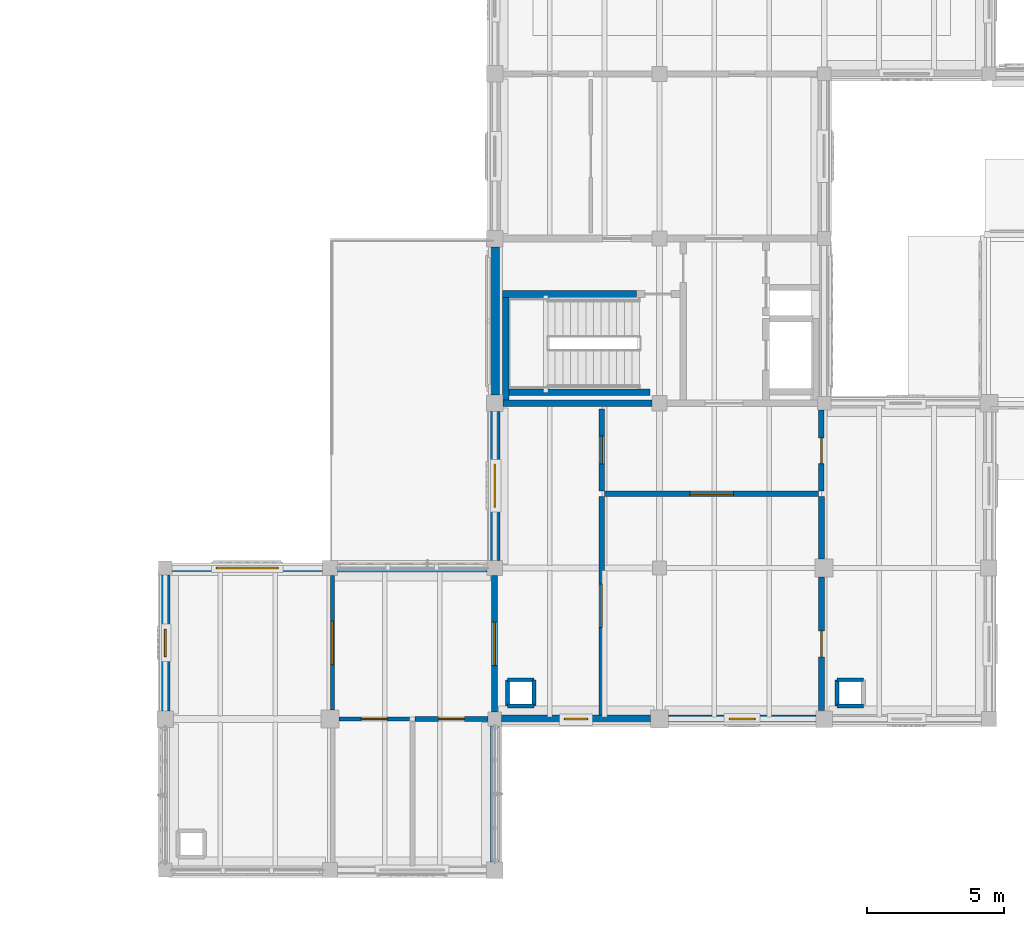
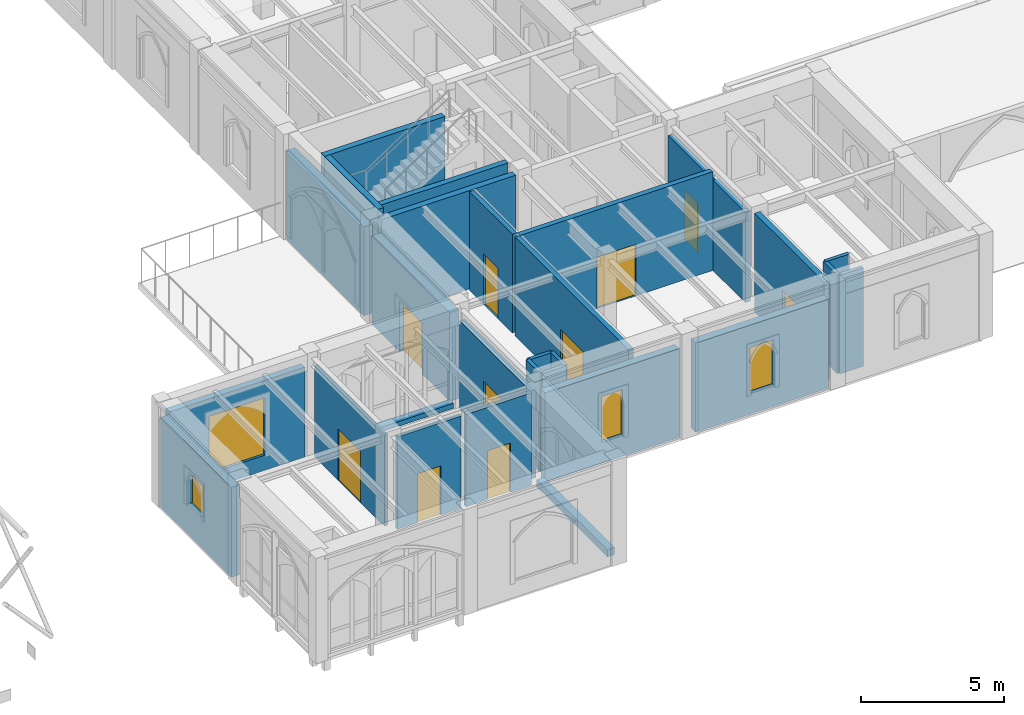
# One storey, part 80 of 127: 29 walls, 10 doors, 4 windows, 14 openings.
"""IFC4 building model written with IfcOpenShell, lengths in metres."""

from ifc_helpers import new_model, si_unit, direction, frame, frame_2d, origin, place, context, subcontext, project, spatial, rectangle, extrude, material, layer, layer_set, type_object, element, fill, save


model = new_model("IFC4")

# Units and contexts
model_context = context("Model", 3, precision=1e-05, world=origin(), true_north=direction((0.0, 1.0)))
body_context = subcontext(model_context, "Body", "Model", "MODEL_VIEW")
ifc_project = project(units=[si_unit("LENGTHUNIT", "METRE"), si_unit("AREAUNIT", "SQUARE_METRE"), si_unit("VOLUMEUNIT", "CUBIC_METRE"), si_unit("PLANEANGLEUNIT", "RADIAN"), si_unit("MASSUNIT", "GRAM", prefix="KILO")], contexts=[model_context])

# Site, building, storey
site_placement = place(None, origin())
site = spatial("IfcSite", under=ifc_project, at=site_placement, CompositionType="ELEMENT")
building_placement = place(site_placement, origin())
building = spatial("IfcBuilding", under=site, at=building_placement, Name="Cumevento Cable Car Station", CompositionType="ELEMENT")
storey_placement = place(building_placement, frame((0.0, 0.0, 4.5)))
storey = spatial("IfcBuildingStorey", under=building, at=storey_placement, Name="L02", CompositionType="ELEMENT", Elevation=4.5)

# Wall, opening, window
ifc_material_1 = material(Name="Gnaisse Facoidal Stone Ashlar 85 MPa", Category="masonry")
ifc_layer_1 = layer(ifc_material_1, 0.264892578125)
ifc_layer_set_1 = layer_set([ifc_layer_1], Name="Gnaisse Facoidal Stone Ashlar 85 MPa")
wall_type_1 = type_object("IfcWallType", Name="Exterior Envelope Wall EW-265 265", PredefinedType="SOLIDWALL", material=ifc_layer_set_1)
wall_1_placement = place(storey_placement, frame((106.25, 15.0, 0.0), z_axis=(0.0, 0.0, 1.0), x_axis=(1.0, 0.0, 0.0)))
wall_1 = element("IfcWall", 1, at=wall_1_placement, inside=storey, type_object=wall_type_1, Name="Exterior Wall EW-265 L02 #104", PredefinedType="SOLIDWALL", context=body_context, shape_type="SweptSolid", body=[
    extrude(rectangle(XDim=5.47509765625, YDim=0.264892578125, at=frame_2d((2.737548828125, 0.0))), origin(), (0.0, 0.0, 1.0), 3.843017578125),
])
opening_1_placement = place(wall_1_placement, frame((1.612548828125, 0.0, 0.64990234375)))
opening_1 = element("IfcOpeningElement", 2, at=opening_1_placement, cuts=wall_1, Name="Opening WN-L02-039", PredefinedType="OPENING", context=body_context, shape_type="SweptSolid", body=[
    extrude(rectangle(XDim=2.25, YDim=2.449951171875, at=frame_2d((1.125, 1.22509765625))), frame((0.0, 0.142333984375, 0.0), z_axis=(0.0, -1.0, 0.0), x_axis=(1.0, 0.0, 0.0)), (0.0, 0.0, 1.0), 0.284912109375),
])
ifc_material_2 = material(Name="Anodised Bronze Aluminium & Laminated Solar Glass", Category="aluminium")
window_type_1 = type_object("IfcWindowType", Name="Lancet Window WN-15 2250x2450", PartitioningType="DOUBLE_PANEL_VERTICAL", PredefinedType="WINDOW", material=ifc_material_2)
window_1_placement = place(opening_1_placement, origin())
window_1 = element("IfcWindow", 3, at=window_1_placement, inside=storey, type_object=window_type_1, Name="Lancet Window WN-L02-039 (WN-15)", OverallHeight=2.449951171875, OverallWidth=2.25, PartitioningType="SINGLE_PANEL", PredefinedType="WINDOW", context=body_context, shape_type="SweptSolid", body=[
    extrude(rectangle(XDim=2.25, YDim=2.449951171875, at=frame_2d((1.125, 1.22509765625))), frame((0.0, 0.030029296875, 0.0), z_axis=(0.0, -1.0, 0.0), x_axis=(1.0, 0.0, 0.0)), (0.0, 0.0, 1.0), 0.06005859375),
])
fill(opening_1, window_1)

# Walls
ifc_material_3 = material(Name="Gnaisse Facoidal Stone Ashlar 85 MPa", Category="masonry")
ifc_layer_2 = layer(ifc_material_3, 0.294921875)
ifc_layer_set_2 = layer_set([ifc_layer_2], Name="Gnaisse Facoidal Stone Ashlar 85 MPa")
wall_type_2 = type_object("IfcWallType", Name="Exterior Envelope Wall EW-295 295", PredefinedType="SOLIDWALL", material=ifc_layer_set_2)
wall_2_placement = place(storey_placement, frame((112.27490234375, 15.0, 0.0), z_axis=(0.0, 0.0, 1.0), x_axis=(1.0, 0.0, 0.0)))
element("IfcWall", 4, at=wall_2_placement, inside=storey, type_object=wall_type_2, Name="Exterior Sill Curb Wall EW-295 L02 #106", PredefinedType="SOLIDWALL", context=body_context, shape_type="SweptSolid", body=[
    extrude(rectangle(XDim=5.4501953125, YDim=0.294921875, at=frame_2d((2.72509765625, 0.0))), origin(), (0.0, 0.0, 1.0), 0.2099609375),
])
wall_3_placement = place(storey_placement, frame((118.0, 9.25, 0.0), z_axis=(0.0, 0.0, 1.0), x_axis=(0.0, -1.0, 0.0)))
element("IfcWall", 5, at=wall_3_placement, inside=storey, type_object=wall_type_2, Name="Exterior Sill Curb Wall EW-295 L02 #108", PredefinedType="SOLIDWALL", context=body_context, shape_type="SweptSolid", body=[
    extrude(rectangle(XDim=4.949951171875, YDim=0.294921875, at=frame_2d((2.47509765625, 0.0))), origin(), (0.0, 0.0, 1.0), 0.31005859375),
])

# Wall, opening, window
wall_4_placement = place(storey_placement, frame((123.675048828125, 9.5, 0.0), z_axis=(0.0, 0.0, 1.0), x_axis=(-1.0, 0.0, 0.0)))
wall_4 = element("IfcWall", 6, at=wall_4_placement, inside=storey, type_object=wall_type_2, Name="Exterior Wall EW-295 L02 #158", PredefinedType="SOLIDWALL", context=body_context, shape_type="SweptSolid", body=[
    extrude(rectangle(XDim=5.425048828125, YDim=0.294921875, at=frame_2d((2.71240234375, 0.0))), origin(), (0.0, 0.0, 1.0), 3.80908203125),
])
opening_2_placement = place(wall_4_placement, frame((2.28759765625, 0.0, 0.89990234375)))
opening_2 = element("IfcOpeningElement", 7, at=opening_2_placement, cuts=wall_4, Name="Opening WN-L02-049", PredefinedType="OPENING", context=body_context, shape_type="SweptSolid", body=[
    extrude(rectangle(XDim=0.85009765625, YDim=1.949951171875, at=frame_2d((0.425048828125, 0.97509765625))), frame((0.0, 0.157470703125, 0.0), z_axis=(0.0, -1.0, 0.0), x_axis=(1.0, 0.0, 0.0)), (0.0, 0.0, 1.0), 0.31494140625),
])
ifc_material_4 = material(Name="Anodised Bronze Aluminium & Laminated Solar Glass", Category="aluminium")
window_type_2 = type_object("IfcWindowType", Name="Lancet Window WN-01 850x1950", PartitioningType="SINGLE_PANEL", PredefinedType="WINDOW", material=ifc_material_4)
window_2_placement = place(opening_2_placement, origin())
window_2 = element("IfcWindow", 8, at=window_2_placement, inside=storey, type_object=window_type_2, Name="Lancet Window WN-L02-049 (WN-01)", OverallHeight=1.949951171875, OverallWidth=0.85009765625, PartitioningType="SINGLE_PANEL", PredefinedType="WINDOW", context=body_context, shape_type="SweptSolid", body=[
    extrude(rectangle(XDim=0.85009765625, YDim=1.949951171875, at=frame_2d((0.425048828125, 0.97509765625))), frame((0.0, 0.030029296875, 0.0), z_axis=(0.0, -1.0, 0.0), x_axis=(1.0, 0.0, 0.0)), (0.0, 0.0, 1.0), 0.06005859375),
])
fill(opening_2, window_2)

ifc_material_5 = material(Name="Gnaisse Facoidal Stone Ashlar 85 MPa", Category="masonry")
ifc_layer_3 = layer(ifc_material_5, 0.31005859375)
ifc_layer_set_3 = layer_set([ifc_layer_3], Name="Gnaisse Facoidal Stone Ashlar 85 MPa")
wall_type_3 = type_object("IfcWallType", Name="Exterior Envelope Wall EW-310 310", PredefinedType="SOLIDWALL", material=ifc_layer_set_3)
wall_5_placement = place(storey_placement, frame((129.699951171875, 9.5, 0.0), z_axis=(0.0, 0.0, 1.0), x_axis=(-1.0, 0.0, 0.0)))
wall_5 = element("IfcWall", 9, at=wall_5_placement, inside=storey, type_object=wall_type_3, Name="Exterior Wall EW-310 L02 #159", PredefinedType="SOLIDWALL", context=body_context, shape_type="SweptSolid", body=[
    extrude(rectangle(XDim=5.375, YDim=0.31005859375, at=frame_2d((2.6875, 0.0))), origin(), (0.0, 0.0, 1.0), 3.80908203125),
])
opening_3_placement = place(wall_5_placement, frame((2.21240234375, 0.0, 0.89990234375)))
opening_3 = element("IfcOpeningElement", 10, at=opening_3_placement, cuts=wall_5, Name="Opening WN-L02-050", PredefinedType="OPENING", context=body_context, shape_type="SweptSolid", body=[
    extrude(rectangle(XDim=0.949951171875, YDim=1.949951171875, at=frame_2d((0.47509765625, 0.97509765625))), frame((0.0, 0.1650390625, 0.0), z_axis=(0.0, -1.0, 0.0), x_axis=(1.0, 0.0, 0.0)), (0.0, 0.0, 1.0), 0.330078125),
])
ifc_material_6 = material(Name="Anodised Bronze Aluminium & Laminated Solar Glass", Category="aluminium")
window_type_3 = type_object("IfcWindowType", Name="Lancet Window WN-02 950x1950", PartitioningType="SINGLE_PANEL", PredefinedType="WINDOW", material=ifc_material_6)
window_3_placement = place(opening_3_placement, origin())
window_3 = element("IfcWindow", 11, at=window_3_placement, inside=storey, type_object=window_type_3, Name="Lancet Window WN-L02-050 (WN-02)", OverallHeight=1.949951171875, OverallWidth=0.949951171875, PartitioningType="SINGLE_PANEL", PredefinedType="WINDOW", context=body_context, shape_type="SweptSolid", body=[
    extrude(rectangle(XDim=0.949951171875, YDim=1.949951171875, at=frame_2d((0.47509765625, 0.97509765625))), frame((0.0, 0.030029296875, 0.0), z_axis=(0.0, -1.0, 0.0), x_axis=(1.0, 0.0, 0.0)), (0.0, 0.0, 1.0), 0.06005859375),
])
fill(opening_3, window_3)

ifc_material_7 = material(Name="Concrete C40/50", Category="concrete")
ifc_layer_4 = layer(ifc_material_7, 0.340087890625)
ifc_layer_set_4 = layer_set([ifc_layer_4], Name="Concrete C40/50")
wall_type_4 = type_object("IfcWallType", Name="Exterior Envelope Wall EW-340 340", PredefinedType="SOLIDWALL", material=ifc_layer_set_4)
wall_6_placement = place(storey_placement, frame((106.0, 9.800048828125, 0.0), z_axis=(0.0, 0.0, 1.0), x_axis=(0.0, 1.0, 0.0)))
wall_6 = element("IfcWall", 12, at=wall_6_placement, inside=storey, type_object=wall_type_4, Name="Exterior Wall EW-340 L02 #109", PredefinedType="SOLIDWALL", context=body_context, shape_type="SweptSolid", body=[
    extrude(rectangle(XDim=4.949951171875, YDim=0.340087890625, at=frame_2d((2.47509765625, 0.0))), origin(), (0.0, 0.0, 1.0), 3.843017578125),
])
opening_4_placement = place(wall_6_placement, frame((1.97509765625, 0.0, 1.35009765625)))
opening_4 = element("IfcOpeningElement", 13, at=opening_4_placement, cuts=wall_6, Name="Opening WN-L02-041", PredefinedType="OPENING", context=body_context, shape_type="SweptSolid", body=[
    extrude(rectangle(XDim=1.0, YDim=1.35009765625, at=frame_2d((0.5, 0.675048828125))), frame((0.0, 0.179931640625, 0.0), z_axis=(0.0, -1.0, 0.0), x_axis=(1.0, 0.0, 0.0)), (0.0, 0.0, 1.0), 0.360107421875),
])
ifc_material_8 = material(Name="Anodised Bronze Aluminium & Laminated Solar Glass", Category="aluminium")
window_type_4 = type_object("IfcWindowType", Name="Lancet Window WN-17 1000x1350", PartitioningType="SINGLE_PANEL", PredefinedType="WINDOW", material=ifc_material_8)
window_4_placement = place(opening_4_placement, origin())
window_4 = element("IfcWindow", 14, at=window_4_placement, inside=storey, type_object=window_type_4, Name="Lancet Window WN-L02-041 (WN-17)", OverallHeight=1.35009765625, OverallWidth=1.0, PartitioningType="SINGLE_PANEL", PredefinedType="WINDOW", context=body_context, shape_type="SweptSolid", body=[
    extrude(rectangle(XDim=1.0, YDim=1.35009765625, at=frame_2d((0.5, 0.675048828125))), frame((0.0, 0.030029296875, 0.0), z_axis=(0.0, -1.0, 0.0), x_axis=(1.0, 0.0, 0.0)), (0.0, 0.0, 1.0), 0.06005859375),
])
fill(opening_4, window_4)

# Wall
ifc_material_9 = material(Name="Concrete C40/50", Category="concrete")
ifc_layer_5 = layer(ifc_material_9, 0.35498046875)
ifc_layer_set_5 = layer_set([ifc_layer_5], Name="Concrete C40/50")
wall_type_5 = type_object("IfcWallType", Name="Exterior Envelope Wall EW-355 355", PredefinedType="SOLIDWALL", material=ifc_layer_set_5)
wall_7_placement = place(storey_placement, frame((118.0, 21.300048828125, 0.0), z_axis=(0.0, 0.0, 1.0), x_axis=(0.0, 1.0, 0.0)))
element("IfcWall", 15, at=wall_7_placement, inside=storey, type_object=wall_type_5, Name="Exterior Wall EW-355 L02 #165", PredefinedType="SOLIDWALL", context=body_context, shape_type="SweptSolid", body=[
    extrude(rectangle(XDim=5.39990234375, YDim=0.35498046875, at=frame_2d((2.699951171875, 0.0))), origin(), (0.0, 0.0, 1.0), 3.797119140625),
])

# Wall, opening, door
ifc_material_10 = material(Name="Concrete C40/50", Category="concrete")
ifc_layer_6 = layer(ifc_material_10, 0.3701171875)
ifc_layer_set_6 = layer_set([ifc_layer_6], Name="Concrete C40/50")
wall_type_6 = type_object("IfcWallType", Name="Exterior Envelope Wall EW-370 370", PredefinedType="SOLIDWALL", material=ifc_layer_set_6)
wall_8_placement = place(storey_placement, frame((118.0, 15.27490234375, 0.0), z_axis=(0.0, 0.0, 1.0), x_axis=(0.0, 1.0, 0.0)))
wall_8 = element("IfcWall", 16, at=wall_8_placement, inside=storey, type_object=wall_type_6, Name="Exterior Wall EW-370 L02 #163", PredefinedType="SOLIDWALL", context=body_context, shape_type="SweptSolid", body=[
    extrude(rectangle(XDim=5.425048828125, YDim=0.3701171875, at=frame_2d((2.71240234375, 0.0))), origin(), (0.0, 0.0, 1.0), 3.797119140625),
])
opening_5_placement = place(wall_8_placement, frame((1.945068359375, 0.0, 0.0)))
opening_5 = element("IfcOpeningElement", 17, at=opening_5_placement, cuts=wall_8, Name="Opening DR-L02-T07", PredefinedType="OPENING", context=body_context, shape_type="SweptSolid", body=[
    extrude(rectangle(XDim=1.56005859375, YDim=2.179931640625, at=frame_2d((0.780029296875, 1.08984375))), frame((0.0, 0.195068359375, 0.0), z_axis=(0.0, -1.0, 0.0), x_axis=(1.0, 0.0, 0.0)), (0.0, 0.0, 1.0), 0.39013671875),
])
ifc_material_11 = material(Name="Anodised Bronze Aluminium & Laminated Glass", Category="aluminium")
door_type_1 = type_object("IfcDoorType", Name="Exterior Door ED-04 1560x2180", OperationType="NOTDEFINED", PredefinedType="DOOR", material=ifc_material_11)
door_1_placement = place(opening_5_placement, origin())
door_1 = element("IfcDoor", 18, at=door_1_placement, inside=storey, type_object=door_type_1, Name="Drive Vault East Court Door", OperationType="DOUBLE_DOOR_SINGLE_SWING", OverallHeight=2.179931640625, OverallWidth=1.56005859375, PredefinedType="DOOR", context=body_context, shape_type="SweptSolid", body=[
    extrude(rectangle(XDim=1.56005859375, YDim=2.179931640625, at=frame_2d((0.780029296875, 1.08984375))), frame((0.0, 0.02490234375, 0.0), z_axis=(0.0, -1.0, 0.0), x_axis=(1.0, 0.0, 0.0)), (0.0, 0.0, 1.0), 0.050048828125),
])
fill(opening_5, door_1)

ifc_material_12 = material(Name="Concrete C40/50", Category="concrete")
ifc_layer_7 = layer(ifc_material_12, 0.199951171875)
ifc_layer_set_7 = layer_set([ifc_layer_7], Name="Concrete C40/50")
wall_type_7 = type_object("IfcWallType", Name="Interior Partition FW-200 200", PredefinedType="SOLIDWALL", material=ifc_layer_set_7)
wall_9_placement = place(storey_placement, frame((129.89990234375, 17.800048828125, 0.0), z_axis=(0.0, 0.0, 1.0), x_axis=(0.0, 1.0, 0.0)))
wall_9 = element("IfcWall", 19, at=wall_9_placement, inside=storey, type_object=wall_type_7, Name="Interior Wall FW-200 L02 #620", PredefinedType="SOLIDWALL", context=body_context, shape_type="SweptSolid", body=[
    extrude(rectangle(XDim=2.947998046875, YDim=0.199951171875, at=frame_2d((1.47412109375, 0.0))), origin(), (0.0, 0.0, 1.0), 3.85009765625),
])
opening_6_placement = place(wall_9_placement, frame((1.00390625, 0.0, 0.0)))
opening_6 = element("IfcOpeningElement", 20, at=opening_6_placement, cuts=wall_9, Name="Opening DR-L02-225", PredefinedType="OPENING", context=body_context, shape_type="SweptSolid", body=[
    extrude(rectangle(XDim=0.93994140625, YDim=2.10009765625, at=frame_2d((0.469970703125, 1.050048828125))), frame((0.0, 0.110107421875, 0.0), z_axis=(0.0, -1.0, 0.0), x_axis=(1.0, 0.0, 0.0)), (0.0, 0.0, 1.0), 0.219970703125),
])
ifc_material_13 = material(Name="Galvanised Painted Steel Fire Door", Category="steel")
door_type_2 = type_object("IfcDoorType", Name="Interior Door FD-08 940x2100", OperationType="NOTDEFINED", PredefinedType="DOOR", material=ifc_material_13)
door_2_placement = place(opening_6_placement, origin())
door_2 = element("IfcDoor", 21, at=door_2_placement, inside=storey, type_object=door_type_2, Name="Interior Door DR-L02-225 (FD-08)", OperationType="SINGLE_SWING_RIGHT", OverallHeight=2.10009765625, OverallWidth=0.93994140625, PredefinedType="DOOR", context=body_context, shape_type="SweptSolid", body=[
    extrude(rectangle(XDim=0.93994140625, YDim=2.10009765625, at=frame_2d((0.469970703125, 1.050048828125))), frame((0.0, 0.02490234375, 0.0), z_axis=(0.0, -1.0, 0.0), x_axis=(1.0, 0.0, 0.0)), (0.0, 0.0, 1.0), 0.050048828125),
])
fill(opening_6, door_2)

ifc_material_14 = material(Name="Concrete C40/50", Category="concrete")
ifc_layer_8 = layer(ifc_material_14, 0.219970703125)
ifc_layer_set_8 = layer_set([ifc_layer_8], Name="Concrete C40/50")
wall_type_8 = type_object("IfcWallType", Name="Interior Partition FW-220 220", PredefinedType="SOLIDWALL", material=ifc_layer_set_8)
wall_10_placement = place(storey_placement, frame((118.0, 9.751953125, 0.0), z_axis=(0.0, 0.0, 1.0), x_axis=(0.0, 1.0, 0.0)))
wall_10 = element("IfcWall", 22, at=wall_10_placement, inside=storey, type_object=wall_type_8, Name="Interior Wall FW-220 L02 #603", PredefinedType="SOLIDWALL", context=body_context, shape_type="SweptSolid", body=[
    extrude(rectangle(XDim=4.970947265625, YDim=0.219970703125, at=frame_2d((2.4853515625, 0.0))), origin(), (0.0, 0.0, 1.0), 3.759033203125),
])
opening_7_placement = place(wall_10_placement, frame((1.695556640625, 0.0, 0.0)))
opening_7 = element("IfcOpeningElement", 23, at=opening_7_placement, cuts=wall_10, Name="Opening DR-L02-214", PredefinedType="OPENING", context=body_context, shape_type="SweptSolid", body=[
    extrude(rectangle(XDim=1.580078125, YDim=2.199951171875, at=frame_2d((0.7900390625, 1.10009765625))), frame((0.0, 0.119873046875, 0.0), z_axis=(0.0, -1.0, 0.0), x_axis=(1.0, 0.0, 0.0)), (0.0, 0.0, 1.0), 0.239990234375),
])
ifc_material_15 = material(Name="Galvanised Painted Steel Fire Door", Category="steel")
door_type_3 = type_object("IfcDoorType", Name="Interior Door FD-06 1580x2200", OperationType="NOTDEFINED", PredefinedType="DOOR", material=ifc_material_15)
door_3_placement = place(opening_7_placement, origin())
door_3 = element("IfcDoor", 24, at=door_3_placement, inside=storey, type_object=door_type_3, Name="Interior Door DR-L02-214 (FD-06)", OperationType="DOUBLE_DOOR_SINGLE_SWING", OverallHeight=2.199951171875, OverallWidth=1.580078125, PredefinedType="DOOR", context=body_context, shape_type="SweptSolid", body=[
    extrude(rectangle(XDim=1.580078125, YDim=2.199951171875, at=frame_2d((0.7900390625, 1.10009765625))), frame((0.0, 0.02490234375, 0.0), z_axis=(0.0, -1.0, 0.0), x_axis=(1.0, 0.0, 0.0)), (0.0, 0.0, 1.0), 0.050048828125),
])
fill(opening_7, door_3)

wall_11_placement = place(storey_placement, frame((129.89990234375, 9.802001953125, 0.0), z_axis=(0.0, 0.0, 1.0), x_axis=(0.0, 1.0, 0.0)))
wall_11 = element("IfcWall", 25, at=wall_11_placement, inside=storey, type_object=wall_type_8, Name="Interior Wall FW-220 L02 #621", PredefinedType="SOLIDWALL", context=body_context, shape_type="SweptSolid", body=[
    extrude(rectangle(XDim=4.87109375, YDim=0.219970703125, at=frame_2d((2.435546875, 0.0))), origin(), (0.0, 0.0, 1.0), 4.216064453125),
])
opening_8_placement = place(wall_11_placement, frame((1.965576171875, 0.0, 0.0)))
opening_8 = element("IfcOpeningElement", 26, at=opening_8_placement, cuts=wall_11, Name="Opening DR-L02-226", PredefinedType="OPENING", context=body_context, shape_type="SweptSolid", body=[
    extrude(rectangle(XDim=0.93994140625, YDim=2.10009765625, at=frame_2d((0.469970703125, 1.050048828125))), frame((0.0, 0.119873046875, 0.0), z_axis=(0.0, -1.0, 0.0), x_axis=(1.0, 0.0, 0.0)), (0.0, 0.0, 1.0), 0.239990234375),
])
door_4_placement = place(opening_8_placement, origin())
door_4 = element("IfcDoor", 27, at=door_4_placement, inside=storey, type_object=door_type_2, Name="Interior Door DR-L02-226 (FD-08)", OperationType="SINGLE_SWING_LEFT", OverallHeight=2.10009765625, OverallWidth=0.93994140625, PredefinedType="DOOR", context=body_context, shape_type="SweptSolid", body=[
    extrude(rectangle(XDim=0.93994140625, YDim=2.10009765625, at=frame_2d((0.469970703125, 1.050048828125))), frame((0.0, 0.02490234375, 0.0), z_axis=(0.0, -1.0, 0.0), x_axis=(1.0, 0.0, 0.0)), (0.0, 0.0, 1.0), 0.050048828125),
])
fill(opening_8, door_4)

# Walls
wall_12_placement = place(storey_placement, frame((129.89990234375, 15.326904296875, 0.0), z_axis=(0.0, 0.0, 1.0), x_axis=(0.0, 1.0, 0.0)))
element("IfcWall", 28, at=wall_12_placement, inside=storey, type_object=wall_type_8, Name="Interior Wall FW-220 L02 #622", PredefinedType="SOLIDWALL", context=body_context, shape_type="SweptSolid", body=[
    extrude(rectangle(XDim=2.273193359375, YDim=0.219970703125, at=frame_2d((1.13671875, 0.0))), origin(), (0.0, 0.0, 1.0), 3.85009765625),
])
ifc_material_16 = material(Name="Gypsum Board & Insulated Stud Partition", Category="gypsum")
ifc_layer_9 = layer(ifc_material_16, 0.14501953125)
ifc_layer_set_9 = layer_set([ifc_layer_9], Name="Gypsum Board & Insulated Stud Partition")
wall_type_9 = type_object("IfcWallType", Name="Interior Partition PT-145 145", PredefinedType="PARTITIONING", material=ifc_layer_set_9)
for number, where, z_axis, x_axis, name in (
    (29, (118.469970703125, 9.969970703125, 0.0), (0.0, 0.0, 1.0), (1.0, 0.0, 0.0), "Interior Wall PT-145 L02 #81"),
    (30, (119.429931640625, 9.969970703125, 0.0), (0.0, 0.0, 1.0), (0.0, 1.0, 0.0), "Interior Wall PT-145 L02 #82"),
    (31, (119.429931640625, 10.929931640625, 0.0), (0.0, 0.0, 1.0), (-1.0, 0.0, 0.0), "Interior Wall PT-145 L02 #83"),
    (32, (118.469970703125, 10.929931640625, 0.0), (0.0, 0.0, 1.0), (0.0, -1.0, 0.0), "Interior Wall PT-145 L02 #84"),
    (33, (130.469970703125, 9.969970703125, 0.0), (0.0, 0.0, 1.0), (1.0, 0.0, 0.0), "Interior Wall PT-145 L02 #85"),
    (34, (131.429931640625, 10.929931640625, 0.0), (0.0, 0.0, 1.0), (-1.0, 0.0, 0.0), "Interior Wall PT-145 L02 #87"),
    (35, (130.469970703125, 10.929931640625, 0.0), (0.0, 0.0, 1.0), (0.0, -1.0, 0.0), "Interior Wall PT-145 L02 #88"),
):
    element("IfcWall", number, at=place(storey_placement, frame(where, z_axis=z_axis, x_axis=x_axis)), inside=storey, type_object=wall_type_9, Name=name, PredefinedType="PARTITIONING", context=body_context, shape_type="SweptSolid", body=[
        extrude(rectangle(XDim=0.9599609375, YDim=0.14501953125, at=frame_2d((0.47998046875, 0.0))), origin(), (0.0, 0.0, 1.0), 4.216064453125),
    ])

# Wall, opening, door
wall_13_placement = place(storey_placement, frame((112.10009765625, 9.826904296875, 0.0), z_axis=(0.0, 0.0, 1.0), x_axis=(0.0, 1.0, 0.0)))
wall_13 = element("IfcWall", 36, at=wall_13_placement, inside=storey, type_object=wall_type_9, Name="Interior Wall PT-145 L02 #600", PredefinedType="PARTITIONING", context=body_context, shape_type="SweptSolid", body=[
    extrude(rectangle(XDim=4.89599609375, YDim=0.14501953125, at=frame_2d((2.447998046875, 0.0))), origin(), (0.0, 0.0, 1.0), 3.89599609375),
])
opening_9_placement = place(wall_13_placement, frame((1.657958984375, 0.0, 0.0)))
opening_9 = element("IfcOpeningElement", 37, at=opening_9_placement, cuts=wall_13, Name="Opening DR-L02-211", PredefinedType="OPENING", context=body_context, shape_type="SweptSolid", body=[
    extrude(rectangle(XDim=1.580078125, YDim=2.199951171875, at=frame_2d((0.7900390625, 1.10009765625))), frame((0.0, 0.08251953125, 0.0), z_axis=(0.0, -1.0, 0.0), x_axis=(1.0, 0.0, 0.0)), (0.0, 0.0, 1.0), 0.1650390625),
])
door_5_placement = place(opening_9_placement, origin())
door_5 = element("IfcDoor", 38, at=door_5_placement, inside=storey, type_object=door_type_3, Name="Interior Door DR-L02-211 (FD-06)", OperationType="DOUBLE_DOOR_SINGLE_SWING", OverallHeight=2.199951171875, OverallWidth=1.580078125, PredefinedType="DOOR", context=body_context, shape_type="SweptSolid", body=[
    extrude(rectangle(XDim=1.580078125, YDim=2.199951171875, at=frame_2d((0.7900390625, 1.10009765625))), frame((0.0, 0.02490234375, 0.0), z_axis=(0.0, -1.0, 0.0), x_axis=(1.0, 0.0, 0.0)), (0.0, 0.0, 1.0), 0.050048828125),
])
fill(opening_9, door_5)

ifc_material_17 = material(Name="Gypsum Board & Insulated Stud Partition", Category="gypsum")
ifc_layer_10 = layer(ifc_material_17, 0.155029296875)
ifc_layer_set_10 = layer_set([ifc_layer_10], Name="Gypsum Board & Insulated Stud Partition")
wall_type_10 = type_object("IfcWallType", Name="Interior Partition PT-155 155", PredefinedType="PARTITIONING", material=ifc_layer_set_10)
wall_14_placement = place(storey_placement, frame((112.326904296875, 9.5, 0.0), z_axis=(0.0, 0.0, 1.0), x_axis=(1.0, 0.0, 0.0)))
wall_14 = element("IfcWall", 39, at=wall_14_placement, inside=storey, type_object=wall_type_10, Name="Interior Wall PT-155 L02 #601", PredefinedType="PARTITIONING", context=body_context, shape_type="SweptSolid", body=[
    extrude(rectangle(XDim=2.572998046875, YDim=0.155029296875, at=frame_2d((1.28662109375, 0.0))), origin(), (0.0, 0.0, 1.0), 3.949951171875),
])
opening_10_placement = place(wall_14_placement, frame((0.81640625, 0.0, 0.0)))
opening_10 = element("IfcOpeningElement", 40, at=opening_10_placement, cuts=wall_14, Name="Opening DR-L02-212", PredefinedType="OPENING", context=body_context, shape_type="SweptSolid", body=[
    extrude(rectangle(XDim=0.93994140625, YDim=2.10009765625, at=frame_2d((0.469970703125, 1.050048828125))), frame((0.0, 0.087646484375, 0.0), z_axis=(0.0, -1.0, 0.0), x_axis=(1.0, 0.0, 0.0)), (0.0, 0.0, 1.0), 0.175048828125),
])
door_6_placement = place(opening_10_placement, origin())
door_6 = element("IfcDoor", 41, at=door_6_placement, inside=storey, type_object=door_type_2, Name="Interior Door DR-L02-212 (FD-08)", OperationType="SINGLE_SWING_RIGHT", OverallHeight=2.10009765625, OverallWidth=0.93994140625, PredefinedType="DOOR", context=body_context, shape_type="SweptSolid", body=[
    extrude(rectangle(XDim=0.93994140625, YDim=2.10009765625, at=frame_2d((0.469970703125, 1.050048828125))), frame((0.0, 0.02490234375, 0.0), z_axis=(0.0, -1.0, 0.0), x_axis=(1.0, 0.0, 0.0)), (0.0, 0.0, 1.0), 0.050048828125),
])
fill(opening_10, door_6)

ifc_material_18 = material(Name="Gypsum Board & Insulated Stud Partition", Category="gypsum")
ifc_layer_11 = layer(ifc_material_18, 0.1650390625)
ifc_layer_set_11 = layer_set([ifc_layer_11], Name="Gypsum Board & Insulated Stud Partition")
wall_type_11 = type_object("IfcWallType", Name="Interior Partition PT-165 165", PredefinedType="PARTITIONING", material=ifc_layer_set_11)
wall_15_placement = place(storey_placement, frame((115.10009765625, 9.5, 0.0), z_axis=(0.0, 0.0, 1.0), x_axis=(1.0, 0.0, 0.0)))
wall_15 = element("IfcWall", 42, at=wall_15_placement, inside=storey, type_object=wall_type_11, Name="Interior Wall PT-165 L02 #602", PredefinedType="PARTITIONING", context=body_context, shape_type="SweptSolid", body=[
    extrude(rectangle(XDim=2.64794921875, YDim=0.1650390625, at=frame_2d((1.323974609375, 0.0))), origin(), (0.0, 0.0, 1.0), 3.949951171875),
])
opening_11_placement = place(wall_15_placement, frame((0.85400390625, 0.0, 0.0)))
opening_11 = element("IfcOpeningElement", 43, at=opening_11_placement, cuts=wall_15, Name="Opening DR-L02-213", PredefinedType="OPENING", context=body_context, shape_type="SweptSolid", body=[
    extrude(rectangle(XDim=0.93994140625, YDim=2.10009765625, at=frame_2d((0.469970703125, 1.050048828125))), frame((0.0, 0.092529296875, 0.0), z_axis=(0.0, -1.0, 0.0), x_axis=(1.0, 0.0, 0.0)), (0.0, 0.0, 1.0), 0.18505859375),
])
door_7_placement = place(opening_11_placement, origin())
door_7 = element("IfcDoor", 44, at=door_7_placement, inside=storey, type_object=door_type_2, Name="Interior Door DR-L02-213 (FD-08)", OperationType="SINGLE_SWING_LEFT", OverallHeight=2.10009765625, OverallWidth=0.93994140625, PredefinedType="DOOR", context=body_context, shape_type="SweptSolid", body=[
    extrude(rectangle(XDim=0.93994140625, YDim=2.10009765625, at=frame_2d((0.469970703125, 1.050048828125))), frame((0.0, 0.02490234375, 0.0), z_axis=(0.0, -1.0, 0.0), x_axis=(1.0, 0.0, 0.0)), (0.0, 0.0, 1.0), 0.050048828125),
])
fill(opening_11, door_7)

ifc_material_19 = material(Name="Moisture-Resistant Tile & Stud Partition", Category="gypsum")
ifc_layer_12 = layer(ifc_material_19, 0.18505859375)
ifc_layer_set_12 = layer_set([ifc_layer_12], Name="Moisture-Resistant Tile & Stud Partition")
wall_type_12 = type_object("IfcWallType", Name="Interior Partition PT-185 185", PredefinedType="PARTITIONING", material=ifc_layer_set_12)
wall_16_placement = place(storey_placement, frame((121.89990234375, 17.800048828125, 0.0), z_axis=(0.0, 0.0, 1.0), x_axis=(0.0, 1.0, 0.0)))
wall_16 = element("IfcWall", 45, at=wall_16_placement, inside=storey, type_object=wall_type_12, Name="Interior Wall PT-185 L02 #617", PredefinedType="PARTITIONING", context=body_context, shape_type="SweptSolid", body=[
    extrude(rectangle(XDim=3.0, YDim=0.18505859375, at=frame_2d((1.5, 0.0))), origin(), (0.0, 0.0, 1.0), 4.216064453125),
])
opening_12_placement = place(wall_16_placement, frame((0.989990234375, 0.0, 0.0)))
opening_12 = element("IfcOpeningElement", 46, at=opening_12_placement, cuts=wall_16, Name="Opening DR-L02-222", PredefinedType="OPENING", context=body_context, shape_type="SweptSolid", body=[
    extrude(rectangle(XDim=1.02001953125, YDim=2.159912109375, at=frame_2d((0.510009765625, 1.080078125))), frame((0.0, 0.1025390625, 0.0), z_axis=(0.0, -1.0, 0.0), x_axis=(1.0, 0.0, 0.0)), (0.0, 0.0, 1.0), 0.205078125),
])
ifc_material_20 = material(Name="Hardwood Ipe Timber Door Leaf", Category="wood")
door_type_4 = type_object("IfcDoorType", Name="Interior Door ID-05 1020x2160", OperationType="NOTDEFINED", PredefinedType="DOOR", material=ifc_material_20)
door_8_placement = place(opening_12_placement, origin())
door_8 = element("IfcDoor", 47, at=door_8_placement, inside=storey, type_object=door_type_4, Name="Interior Door DR-L02-222 (ID-05)", OperationType="SINGLE_SWING_LEFT", OverallHeight=2.159912109375, OverallWidth=1.02001953125, PredefinedType="DOOR", context=body_context, shape_type="SweptSolid", body=[
    extrude(rectangle(XDim=1.02001953125, YDim=2.159912109375, at=frame_2d((0.510009765625, 1.080078125))), frame((0.0, 0.02490234375, 0.0), z_axis=(0.0, -1.0, 0.0), x_axis=(1.0, 0.0, 0.0)), (0.0, 0.0, 1.0), 0.050048828125),
])
fill(opening_12, door_8)

ifc_material_21 = material(Name="Acoustic Double-Stud Partition", Category="gypsum")
ifc_layer_13 = layer(ifc_material_21, 0.195068359375)
ifc_layer_set_13 = layer_set([ifc_layer_13], Name="Acoustic Double-Stud Partition")
wall_type_13 = type_object("IfcWallType", Name="Interior Partition PT-195 195", PredefinedType="PARTITIONING", material=ifc_layer_set_13)
wall_17_placement = place(storey_placement, frame((121.89990234375, 9.6494140625, 0.0), z_axis=(0.0, 0.0, 1.0), x_axis=(0.0, 1.0, 0.0)))
wall_17 = element("IfcWall", 48, at=wall_17_placement, inside=storey, type_object=wall_type_13, Name="Interior Wall PT-195 L02 #618", PredefinedType="PARTITIONING", context=body_context, shape_type="SweptSolid", body=[
    extrude(rectangle(XDim=7.95068359375, YDim=0.195068359375, at=frame_2d((3.975341796875, 0.0))), origin(), (0.0, 0.0, 1.0), 4.216064453125),
])
opening_13_placement = place(wall_17_placement, frame((3.185302734375, 0.0, 0.0)))
opening_13 = element("IfcOpeningElement", 49, at=opening_13_placement, cuts=wall_17, Name="Opening DR-L02-223", PredefinedType="OPENING", context=body_context, shape_type="SweptSolid", body=[
    extrude(rectangle(XDim=1.580078125, YDim=2.199951171875, at=frame_2d((0.7900390625, 1.10009765625))), frame((0.0, 0.107666015625, 0.0), z_axis=(0.0, -1.0, 0.0), x_axis=(1.0, 0.0, 0.0)), (0.0, 0.0, 1.0), 0.215087890625),
])
door_9_placement = place(opening_13_placement, origin())
door_9 = element("IfcDoor", 50, at=door_9_placement, inside=storey, type_object=door_type_3, Name="Interior Door DR-L02-223 (FD-06)", OperationType="DOUBLE_DOOR_SINGLE_SWING", OverallHeight=2.199951171875, OverallWidth=1.580078125, PredefinedType="DOOR", context=body_context, shape_type="SweptSolid", body=[
    extrude(rectangle(XDim=1.580078125, YDim=2.199951171875, at=frame_2d((0.7900390625, 1.10009765625))), frame((0.0, 0.02490234375, 0.0), z_axis=(0.0, -1.0, 0.0), x_axis=(1.0, 0.0, 0.0)), (0.0, 0.0, 1.0), 0.050048828125),
])
fill(opening_13, door_9)

ifc_material_22 = material(Name="Acoustic Double-Stud Partition", Category="gypsum")
ifc_layer_14 = layer(ifc_material_22, 0.205078125)
ifc_layer_set_14 = layer_set([ifc_layer_14], Name="Acoustic Double-Stud Partition")
wall_type_14 = type_object("IfcWallType", Name="Interior Partition PT-205 205", PredefinedType="PARTITIONING", material=ifc_layer_set_14)
wall_18_placement = place(storey_placement, frame((122.0, 17.699951171875, 0.0), z_axis=(0.0, 0.0, 1.0), x_axis=(1.0, 0.0, 0.0)))
wall_18 = element("IfcWall", 51, at=wall_18_placement, inside=storey, type_object=wall_type_14, Name="Interior Wall PT-205 L02 #619", PredefinedType="PARTITIONING", context=body_context, shape_type="SweptSolid", body=[
    extrude(rectangle(XDim=7.800048828125, YDim=0.205078125, at=frame_2d((3.89990234375, 0.0))), origin(), (0.0, 0.0, 1.0), 4.216064453125),
])
opening_14_placement = place(wall_18_placement, frame((3.110107421875, 0.0, 0.0)))
opening_14 = element("IfcOpeningElement", 52, at=opening_14_placement, cuts=wall_18, Name="Opening DR-L02-224", PredefinedType="OPENING", context=body_context, shape_type="SweptSolid", body=[
    extrude(rectangle(XDim=1.580078125, YDim=2.199951171875, at=frame_2d((0.7900390625, 1.10009765625))), frame((0.0, 0.112548828125, 0.0), z_axis=(0.0, -1.0, 0.0), x_axis=(1.0, 0.0, 0.0)), (0.0, 0.0, 1.0), 0.22509765625),
])
door_10_placement = place(opening_14_placement, origin())
door_10 = element("IfcDoor", 53, at=door_10_placement, inside=storey, type_object=door_type_3, Name="Interior Door DR-L02-224 (FD-06)", OperationType="DOUBLE_DOOR_SINGLE_SWING", OverallHeight=2.199951171875, OverallWidth=1.580078125, PredefinedType="DOOR", context=body_context, shape_type="SweptSolid", body=[
    extrude(rectangle(XDim=1.580078125, YDim=2.199951171875, at=frame_2d((0.7900390625, 1.10009765625))), frame((0.0, 0.02490234375, 0.0), z_axis=(0.0, -1.0, 0.0), x_axis=(1.0, 0.0, 0.0)), (0.0, 0.0, 1.0), 0.050048828125),
])
fill(opening_14, door_10)

# Walls
ifc_material_23 = material(Name="Concrete C40/50", Category="concrete")
ifc_layer_15 = layer(ifc_material_23, 0.22998046875)
ifc_layer_set_15 = layer_set([ifc_layer_15], Name="Concrete C40/50")
wall_type_15 = type_object("IfcWallType", Name="Interior Shear Wall CW-230 230", PredefinedType="SHEAR", material=ifc_layer_set_15)
wall_19_placement = place(storey_placement, frame((118.405029296875, 21.114990234375, 0.0), z_axis=(0.0, 0.0, 1.0), x_axis=(0.0, 1.0, 0.0)))
element("IfcWall", 54, at=wall_19_placement, inside=storey, type_object=wall_type_15, Name="Interior Wall CW-230 L02 #423", PredefinedType="SHEAR", context=body_context, shape_type="SweptSolid", body=[
    extrude(rectangle(XDim=3.735107421875, YDim=0.22998046875, at=frame_2d((1.86767578125, 0.0))), origin(), (0.0, 0.0, 1.0), 4.5),
])
wall_20_placement = place(storey_placement, frame((118.52001953125, 21.405029296875, 0.0), z_axis=(0.0, 0.0, 1.0), x_axis=(1.0, 0.0, 0.0)))
element("IfcWall", 55, at=wall_20_placement, inside=storey, type_object=wall_type_15, Name="Interior Wall CW-230 L02 #424", PredefinedType="SHEAR", context=body_context, shape_type="SweptSolid", body=[
    extrude(rectangle(XDim=5.1298828125, YDim=0.22998046875, at=frame_2d((2.56494140625, 0.0))), origin(), (0.0, 0.0, 1.0), 4.5),
])
ifc_material_24 = material(Name="Concrete C40/50", Category="concrete")
ifc_layer_16 = layer(ifc_material_24, 0.25)
ifc_layer_set_16 = layer_set([ifc_layer_16], Name="Concrete C40/50")
wall_type_16 = type_object("IfcWallType", Name="Interior Shear Wall CW-250 250", PredefinedType="SHEAR", material=ifc_layer_set_16)
wall_21_placement = place(storey_placement, frame((118.300048828125, 21.0, 0.0), z_axis=(0.0, 0.0, 1.0), x_axis=(1.0, 0.0, 0.0)))
element("IfcWall", 56, at=wall_21_placement, inside=storey, type_object=wall_type_16, Name="Interior Wall CW-250 L02 #419", PredefinedType="SHEAR", context=body_context, shape_type="SweptSolid", body=[
    extrude(rectangle(XDim=5.425048828125, YDim=0.25, at=frame_2d((2.71240234375, 0.0))), origin(), (0.0, 0.0, 1.0), 4.2041015625),
])
wall_22_placement = place(storey_placement, frame((118.2900390625, 24.97509765625, 0.0), z_axis=(0.0, 0.0, 1.0), x_axis=(1.0, 0.0, 0.0)))
element("IfcWall", 57, at=wall_22_placement, inside=storey, type_object=wall_type_16, Name="Interior Wall CW-250 L02 #425", PredefinedType="SHEAR", context=body_context, shape_type="SweptSolid", body=[
    extrude(rectangle(XDim=4.869873046875, YDim=0.25, at=frame_2d((2.43505859375, 0.0))), origin(), (0.0, 0.0, 1.0), 4.5),
])

save(model, "model.ifc")
